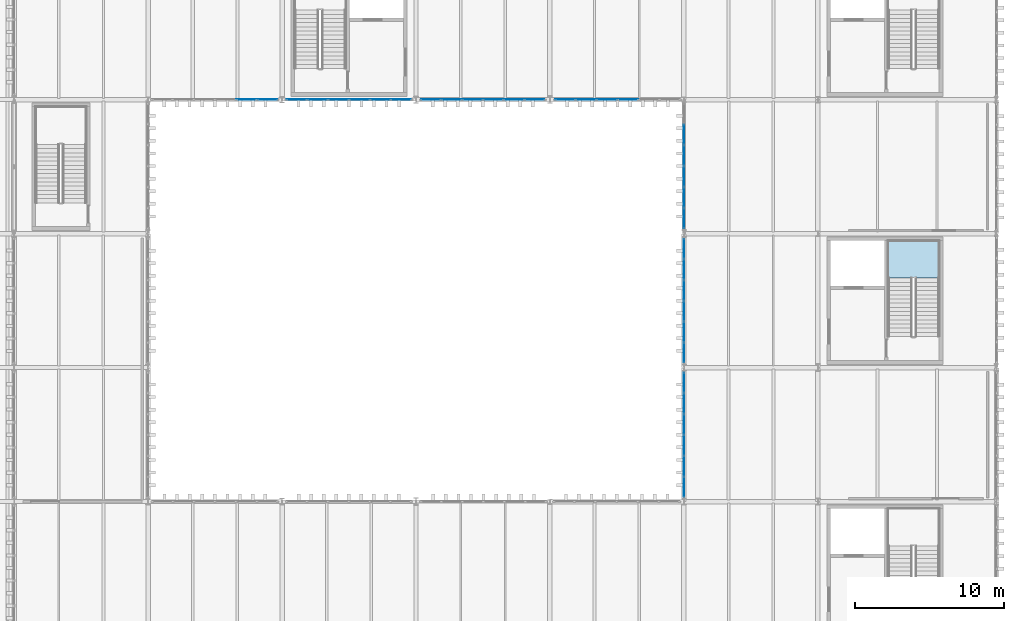
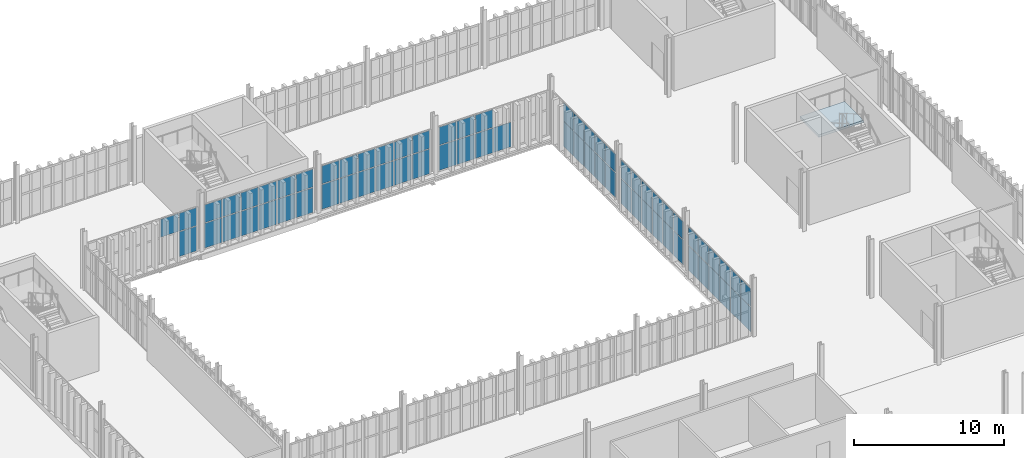
# One storey, part 169 of 196: 68 plates, 1 slab, 8 elements without a shape of their own.
"""IFC4 building model written with IfcOpenShell, lengths in metres."""

from ifc_helpers import new_model, si_unit, direction, frame, origin, origin_2d, place, context, subcontext, project, spatial, polyline, rectangle, outline, extrude, material, layer, layer_set, type_object, element, aggregate, save


model = new_model("IFC4")

# Units and contexts
model_context = context("Model", 3, precision=1e-05, world=origin(), true_north=direction((0.0, 1.0)))
body_context = subcontext(model_context, "Body", "Model", "MODEL_VIEW")
ifc_project = project(units=[si_unit("LENGTHUNIT", "METRE"), si_unit("AREAUNIT", "SQUARE_METRE"), si_unit("VOLUMEUNIT", "CUBIC_METRE"), si_unit("PLANEANGLEUNIT", "RADIAN"), si_unit("MASSUNIT", "GRAM", prefix="KILO")], contexts=[model_context])

# Site, building, storey
site_placement = place(None, origin())
site = spatial("IfcSite", under=ifc_project, at=site_placement, CompositionType="ELEMENT")
building_placement = place(site_placement, origin())
building = spatial("IfcBuilding", under=site, at=building_placement, Name="Barlavento Convention Centre", CompositionType="ELEMENT")
storey_placement = place(building_placement, frame((0.0, 0.0, 18.0)))
storey = spatial("IfcBuildingStorey", under=building, at=storey_placement, Name="L03", CompositionType="ELEMENT", Elevation=18.0)

# Curtain wall, plates
ifc_material_1 = material(Name="Powder-coated aluminium and Low-E glass", Category="aluminium")
ifc_layer_1 = layer(ifc_material_1, 0.179931640625)
ifc_layer_set_1 = layer_set([ifc_layer_1], Name="ARC-CW-PATIO-B")
curtain_wall_type = type_object("IfcCurtainWallType", Name="ARC-CW-PATIO-B", PredefinedType="NOTDEFINED", material=ifc_layer_set_1)
curtain_wall_1_placement = place(storey_placement, origin())
curtain_wall_1 = element("IfcCurtainWall", 1, at=curtain_wall_1_placement, inside=storey, type_object=curtain_wall_type, Name="L03 unitised curtain wall CW12", PredefinedType="NOTDEFINED")
ifc_material_2 = material(Name="Double-silver Low-E insulated glass", Category="glass")
ifc_layer_2 = layer(ifc_material_2, 0.028076171875)
ifc_layer_set_2 = layer_set([ifc_layer_2], Name="ARC-CWP-GLZ28")
plate_type = type_object("IfcPlateType", Name="ARC-CWP-GLZ28", PredefinedType="CURTAIN_PANEL", material=ifc_layer_set_2)
plate_1_placement = place(storey_placement, frame((141.612548828125, 90.0, 2.130126953125), z_axis=(0.0, 0.0, 1.0), x_axis=(1.0, 0.0, 0.0)))
plate_1 = element("IfcPlate", 2, at=plate_1_placement, type_object=plate_type, Name="CW12 panel 5.2", PredefinedType="CURTAIN_PANEL", context=body_context, shape_type="SweptSolid", body=[
    extrude(rectangle(XDim=1.3583984375, YDim=0.028076171875, at=origin_2d()), origin(), (0.0, 0.0, 1.0), 1.4599609375),
])
plate_2_placement = place(storey_placement, frame((143.015869140625, 90.0, 0.06005859375), z_axis=(0.0, 0.0, 1.0), x_axis=(1.0, 0.0, 0.0)))
plate_2 = element("IfcPlate", 3, at=plate_2_placement, type_object=plate_type, Name="CW12 panel 6.1", PredefinedType="CURTAIN_PANEL", context=body_context, shape_type="SweptSolid", body=[
    extrude(rectangle(XDim=1.328369140625, YDim=0.028076171875, at=origin_2d()), origin(), (0.0, 0.0, 1.0), 2.010009765625),
])
plate_3_placement = place(storey_placement, frame((143.015869140625, 90.0, 2.130126953125), z_axis=(0.0, 0.0, 1.0), x_axis=(1.0, 0.0, 0.0)))
plate_3 = element("IfcPlate", 4, at=plate_3_placement, type_object=plate_type, Name="CW12 panel 6.2", PredefinedType="CURTAIN_PANEL", context=body_context, shape_type="SweptSolid", body=[
    extrude(rectangle(XDim=1.328369140625, YDim=0.028076171875, at=origin_2d()), origin(), (0.0, 0.0, 1.0), 1.4599609375),
])
aggregate(curtain_wall_1, [plate_1, plate_2, plate_3])

curtain_wall_2_placement = place(storey_placement, origin())
curtain_wall_2 = element("IfcCurtainWall", 5, at=curtain_wall_2_placement, inside=storey, type_object=curtain_wall_type, Name="L03 unitised curtain wall CW12", PredefinedType="NOTDEFINED")
plate_4_placement = place(storey_placement, frame((144.9794921875, 90.0, 0.06005859375), z_axis=(0.0, 0.0, 1.0), x_axis=(1.0, 0.0, 0.0)))
plate_4 = element("IfcPlate", 6, at=plate_4_placement, type_object=plate_type, Name="CW12 panel 1.1", PredefinedType="CURTAIN_PANEL", context=body_context, shape_type="SweptSolid", body=[
    extrude(rectangle(XDim=1.319091796875, YDim=0.028076171875, at=origin_2d()), origin(), (0.0, 0.0, 1.0), 2.010009765625),
])
plate_5_placement = place(storey_placement, frame((144.9794921875, 90.0, 2.130126953125), z_axis=(0.0, 0.0, 1.0), x_axis=(1.0, 0.0, 0.0)))
plate_5 = element("IfcPlate", 7, at=plate_5_placement, type_object=plate_type, Name="CW12 panel 1.2", PredefinedType="CURTAIN_PANEL", context=body_context, shape_type="SweptSolid", body=[
    extrude(rectangle(XDim=1.319091796875, YDim=0.028076171875, at=origin_2d()), origin(), (0.0, 0.0, 1.0), 1.4599609375),
])
plate_6_placement = place(storey_placement, frame((146.373779296875, 90.0, 0.06005859375), z_axis=(0.0, 0.0, 1.0), x_axis=(1.0, 0.0, 0.0)))
plate_6 = element("IfcPlate", 8, at=plate_6_placement, type_object=plate_type, Name="CW12 panel 2.1", PredefinedType="CURTAIN_PANEL", context=body_context, shape_type="SweptSolid", body=[
    extrude(rectangle(XDim=1.34912109375, YDim=0.028076171875, at=origin_2d()), origin(), (0.0, 0.0, 1.0), 2.010009765625),
])
plate_7_placement = place(storey_placement, frame((146.373779296875, 90.0, 2.130126953125), z_axis=(0.0, 0.0, 1.0), x_axis=(1.0, 0.0, 0.0)))
plate_7 = element("IfcPlate", 9, at=plate_7_placement, type_object=plate_type, Name="CW12 panel 2.2", PredefinedType="CURTAIN_PANEL", context=body_context, shape_type="SweptSolid", body=[
    extrude(rectangle(XDim=1.34912109375, YDim=0.028076171875, at=origin_2d()), origin(), (0.0, 0.0, 1.0), 1.4599609375),
])
plate_8_placement = place(storey_placement, frame((147.782958984375, 90.0, 0.06005859375), z_axis=(0.0, 0.0, 1.0), x_axis=(1.0, 0.0, 0.0)))
plate_8 = element("IfcPlate", 10, at=plate_8_placement, type_object=plate_type, Name="CW12 panel 3.1", PredefinedType="CURTAIN_PANEL", context=body_context, shape_type="SweptSolid", body=[
    extrude(rectangle(XDim=1.34912109375, YDim=0.028076171875, at=origin_2d()), origin(), (0.0, 0.0, 1.0), 2.010009765625),
])
plate_9_placement = place(storey_placement, frame((147.782958984375, 90.0, 2.130126953125), z_axis=(0.0, 0.0, 1.0), x_axis=(1.0, 0.0, 0.0)))
plate_9 = element("IfcPlate", 11, at=plate_9_placement, type_object=plate_type, Name="CW12 panel 3.2", PredefinedType="CURTAIN_PANEL", context=body_context, shape_type="SweptSolid", body=[
    extrude(rectangle(XDim=1.34912109375, YDim=0.028076171875, at=origin_2d()), origin(), (0.0, 0.0, 1.0), 1.4599609375),
])
plate_10_placement = place(storey_placement, frame((149.192138671875, 90.0, 0.06005859375), z_axis=(0.0, 0.0, 1.0), x_axis=(1.0, 0.0, 0.0)))
plate_10 = element("IfcPlate", 12, at=plate_10_placement, type_object=plate_type, Name="CW12 panel 4.1", PredefinedType="CURTAIN_PANEL", context=body_context, shape_type="SweptSolid", body=[
    extrude(rectangle(XDim=1.34912109375, YDim=0.028076171875, at=origin_2d()), origin(), (0.0, 0.0, 1.0), 2.010009765625),
])
plate_11_placement = place(storey_placement, frame((149.192138671875, 90.0, 2.130126953125), z_axis=(0.0, 0.0, 1.0), x_axis=(1.0, 0.0, 0.0)))
plate_11 = element("IfcPlate", 13, at=plate_11_placement, type_object=plate_type, Name="CW12 panel 4.2", PredefinedType="CURTAIN_PANEL", context=body_context, shape_type="SweptSolid", body=[
    extrude(rectangle(XDim=1.34912109375, YDim=0.028076171875, at=origin_2d()), origin(), (0.0, 0.0, 1.0), 1.4599609375),
])
plate_12_placement = place(storey_placement, frame((150.601318359375, 90.0, 0.06005859375), z_axis=(0.0, 0.0, 1.0), x_axis=(1.0, 0.0, 0.0)))
plate_12 = element("IfcPlate", 14, at=plate_12_placement, type_object=plate_type, Name="CW12 panel 5.1", PredefinedType="CURTAIN_PANEL", context=body_context, shape_type="SweptSolid", body=[
    extrude(rectangle(XDim=1.34912109375, YDim=0.028076171875, at=origin_2d()), origin(), (0.0, 0.0, 1.0), 2.010009765625),
])
plate_13_placement = place(storey_placement, frame((150.601318359375, 90.0, 2.130126953125), z_axis=(0.0, 0.0, 1.0), x_axis=(1.0, 0.0, 0.0)))
plate_13 = element("IfcPlate", 15, at=plate_13_placement, type_object=plate_type, Name="CW12 panel 5.2", PredefinedType="CURTAIN_PANEL", context=body_context, shape_type="SweptSolid", body=[
    extrude(rectangle(XDim=1.34912109375, YDim=0.028076171875, at=origin_2d()), origin(), (0.0, 0.0, 1.0), 1.4599609375),
])
plate_14_placement = place(storey_placement, frame((151.995361328125, 90.0, 0.06005859375), z_axis=(0.0, 0.0, 1.0), x_axis=(1.0, 0.0, 0.0)))
plate_14 = element("IfcPlate", 16, at=plate_14_placement, type_object=plate_type, Name="CW12 panel 6.1", PredefinedType="CURTAIN_PANEL", context=body_context, shape_type="SweptSolid", body=[
    extrude(rectangle(XDim=1.319091796875, YDim=0.028076171875, at=origin_2d()), origin(), (0.0, 0.0, 1.0), 2.010009765625),
])
plate_15_placement = place(storey_placement, frame((151.995361328125, 90.0, 2.130126953125), z_axis=(0.0, 0.0, 1.0), x_axis=(1.0, 0.0, 0.0)))
plate_15 = element("IfcPlate", 17, at=plate_15_placement, type_object=plate_type, Name="CW12 panel 6.2", PredefinedType="CURTAIN_PANEL", context=body_context, shape_type="SweptSolid", body=[
    extrude(rectangle(XDim=1.319091796875, YDim=0.028076171875, at=origin_2d()), origin(), (0.0, 0.0, 1.0), 1.4599609375),
])
aggregate(curtain_wall_2, [plate_4, plate_5, plate_6, plate_7, plate_8, plate_9, plate_10, plate_11, plate_12, plate_13, plate_14, plate_15])

curtain_wall_3_placement = place(storey_placement, origin())
curtain_wall_3 = element("IfcCurtainWall", 18, at=curtain_wall_3_placement, inside=storey, type_object=curtain_wall_type, Name="L03 unitised curtain wall CW12", PredefinedType="NOTDEFINED")
plate_16_placement = place(storey_placement, frame((154.00048828125, 90.0, 0.06005859375), z_axis=(0.0, 0.0, 1.0), x_axis=(1.0, 0.0, 0.0)))
plate_16 = element("IfcPlate", 19, at=plate_16_placement, type_object=plate_type, Name="CW12 panel 1.1", PredefinedType="CURTAIN_PANEL", context=body_context, shape_type="SweptSolid", body=[
    extrude(rectangle(XDim=1.310791015625, YDim=0.028076171875, at=origin_2d()), origin(), (0.0, 0.0, 1.0), 2.010009765625),
])
plate_17_placement = place(storey_placement, frame((154.00048828125, 90.0, 2.130126953125), z_axis=(0.0, 0.0, 1.0), x_axis=(1.0, 0.0, 0.0)))
plate_17 = element("IfcPlate", 20, at=plate_17_placement, type_object=plate_type, Name="CW12 panel 1.2", PredefinedType="CURTAIN_PANEL", context=body_context, shape_type="SweptSolid", body=[
    extrude(rectangle(XDim=1.310791015625, YDim=0.028076171875, at=origin_2d()), origin(), (0.0, 0.0, 1.0), 1.4599609375),
])
plate_18_placement = place(storey_placement, frame((155.38623046875, 90.0, 0.06005859375), z_axis=(0.0, 0.0, 1.0), x_axis=(1.0, 0.0, 0.0)))
plate_18 = element("IfcPlate", 21, at=plate_18_placement, type_object=plate_type, Name="CW12 panel 2.1", PredefinedType="CURTAIN_PANEL", context=body_context, shape_type="SweptSolid", body=[
    extrude(rectangle(XDim=1.3408203125, YDim=0.028076171875, at=origin_2d()), origin(), (0.0, 0.0, 1.0), 2.010009765625),
])
plate_19_placement = place(storey_placement, frame((155.38623046875, 90.0, 2.130126953125), z_axis=(0.0, 0.0, 1.0), x_axis=(1.0, 0.0, 0.0)))
plate_19 = element("IfcPlate", 22, at=plate_19_placement, type_object=plate_type, Name="CW12 panel 2.2", PredefinedType="CURTAIN_PANEL", context=body_context, shape_type="SweptSolid", body=[
    extrude(rectangle(XDim=1.3408203125, YDim=0.028076171875, at=origin_2d()), origin(), (0.0, 0.0, 1.0), 1.4599609375),
])
plate_20_placement = place(storey_placement, frame((156.787109375, 90.0, 0.06005859375), z_axis=(0.0, 0.0, 1.0), x_axis=(1.0, 0.0, 0.0)))
plate_20 = element("IfcPlate", 23, at=plate_20_placement, type_object=plate_type, Name="CW12 panel 3.1", PredefinedType="CURTAIN_PANEL", context=body_context, shape_type="SweptSolid", body=[
    extrude(rectangle(XDim=1.3408203125, YDim=0.028076171875, at=origin_2d()), origin(), (0.0, 0.0, 1.0), 2.010009765625),
])
plate_21_placement = place(storey_placement, frame((156.787109375, 90.0, 2.130126953125), z_axis=(0.0, 0.0, 1.0), x_axis=(1.0, 0.0, 0.0)))
plate_21 = element("IfcPlate", 24, at=plate_21_placement, type_object=plate_type, Name="CW12 panel 3.2", PredefinedType="CURTAIN_PANEL", context=body_context, shape_type="SweptSolid", body=[
    extrude(rectangle(XDim=1.3408203125, YDim=0.028076171875, at=origin_2d()), origin(), (0.0, 0.0, 1.0), 1.4599609375),
])
plate_22_placement = place(storey_placement, frame((158.18798828125, 90.0, 0.06005859375), z_axis=(0.0, 0.0, 1.0), x_axis=(1.0, 0.0, 0.0)))
plate_22 = element("IfcPlate", 25, at=plate_22_placement, type_object=plate_type, Name="CW12 panel 4.1", PredefinedType="CURTAIN_PANEL", context=body_context, shape_type="SweptSolid", body=[
    extrude(rectangle(XDim=1.3408203125, YDim=0.028076171875, at=origin_2d()), origin(), (0.0, 0.0, 1.0), 2.010009765625),
])
plate_23_placement = place(storey_placement, frame((158.18798828125, 90.0, 2.130126953125), z_axis=(0.0, 0.0, 1.0), x_axis=(1.0, 0.0, 0.0)))
plate_23 = element("IfcPlate", 26, at=plate_23_placement, type_object=plate_type, Name="CW12 panel 4.2", PredefinedType="CURTAIN_PANEL", context=body_context, shape_type="SweptSolid", body=[
    extrude(rectangle(XDim=1.3408203125, YDim=0.028076171875, at=origin_2d()), origin(), (0.0, 0.0, 1.0), 1.4599609375),
])
plate_24_placement = place(storey_placement, frame((159.5888671875, 90.0, 0.06005859375), z_axis=(0.0, 0.0, 1.0), x_axis=(1.0, 0.0, 0.0)))
plate_24 = element("IfcPlate", 27, at=plate_24_placement, type_object=plate_type, Name="CW12 panel 5.1", PredefinedType="CURTAIN_PANEL", context=body_context, shape_type="SweptSolid", body=[
    extrude(rectangle(XDim=1.3408203125, YDim=0.028076171875, at=origin_2d()), origin(), (0.0, 0.0, 1.0), 2.010009765625),
])
plate_25_placement = place(storey_placement, frame((159.5888671875, 90.0, 2.130126953125), z_axis=(0.0, 0.0, 1.0), x_axis=(1.0, 0.0, 0.0)))
plate_25 = element("IfcPlate", 28, at=plate_25_placement, type_object=plate_type, Name="CW12 panel 5.2", PredefinedType="CURTAIN_PANEL", context=body_context, shape_type="SweptSolid", body=[
    extrude(rectangle(XDim=1.3408203125, YDim=0.028076171875, at=origin_2d()), origin(), (0.0, 0.0, 1.0), 1.4599609375),
])
plate_26_placement = place(storey_placement, frame((160.974609375, 90.0, 0.06005859375), z_axis=(0.0, 0.0, 1.0), x_axis=(1.0, 0.0, 0.0)))
plate_26 = element("IfcPlate", 29, at=plate_26_placement, type_object=plate_type, Name="CW12 panel 6.1", PredefinedType="CURTAIN_PANEL", context=body_context, shape_type="SweptSolid", body=[
    extrude(rectangle(XDim=1.310791015625, YDim=0.028076171875, at=origin_2d()), origin(), (0.0, 0.0, 1.0), 2.010009765625),
])
plate_27_placement = place(storey_placement, frame((160.974609375, 90.0, 2.130126953125), z_axis=(0.0, 0.0, 1.0), x_axis=(1.0, 0.0, 0.0)))
plate_27 = element("IfcPlate", 30, at=plate_27_placement, type_object=plate_type, Name="CW12 panel 6.2", PredefinedType="CURTAIN_PANEL", context=body_context, shape_type="SweptSolid", body=[
    extrude(rectangle(XDim=1.310791015625, YDim=0.028076171875, at=origin_2d()), origin(), (0.0, 0.0, 1.0), 1.4599609375),
])
aggregate(curtain_wall_3, [plate_16, plate_17, plate_18, plate_19, plate_20, plate_21, plate_22, plate_23, plate_24, plate_25, plate_26, plate_27])

curtain_wall_4_placement = place(storey_placement, origin())
curtain_wall_4 = element("IfcCurtainWall", 31, at=curtain_wall_4_placement, inside=storey, type_object=curtain_wall_type, Name="L03 unitised curtain wall CW12", PredefinedType="NOTDEFINED")
plate_28_placement = place(storey_placement, frame((163.030029296875, 90.0, 0.06005859375), z_axis=(0.0, 0.0, 1.0), x_axis=(1.0, 0.0, 0.0)))
plate_28 = element("IfcPlate", 32, at=plate_28_placement, type_object=plate_type, Name="CW12 panel 1.1", PredefinedType="CURTAIN_PANEL", context=body_context, shape_type="SweptSolid", body=[
    extrude(rectangle(XDim=1.320068359375, YDim=0.028076171875, at=origin_2d()), origin(), (0.0, 0.0, 1.0), 2.010009765625),
])
plate_29_placement = place(storey_placement, frame((163.030029296875, 90.0, 2.130126953125), z_axis=(0.0, 0.0, 1.0), x_axis=(1.0, 0.0, 0.0)))
plate_29 = element("IfcPlate", 33, at=plate_29_placement, type_object=plate_type, Name="CW12 panel 1.2", PredefinedType="CURTAIN_PANEL", context=body_context, shape_type="SweptSolid", body=[
    extrude(rectangle(XDim=1.320068359375, YDim=0.028076171875, at=origin_2d()), origin(), (0.0, 0.0, 1.0), 1.4599609375),
])
plate_30_placement = place(storey_placement, frame((164.425048828125, 90.0, 0.06005859375), z_axis=(0.0, 0.0, 1.0), x_axis=(1.0, 0.0, 0.0)))
plate_30 = element("IfcPlate", 34, at=plate_30_placement, type_object=plate_type, Name="CW12 panel 2.1", PredefinedType="CURTAIN_PANEL", context=body_context, shape_type="SweptSolid", body=[
    extrude(rectangle(XDim=1.35009765625, YDim=0.028076171875, at=origin_2d()), origin(), (0.0, 0.0, 1.0), 2.010009765625),
])
plate_31_placement = place(storey_placement, frame((164.425048828125, 90.0, 2.130126953125), z_axis=(0.0, 0.0, 1.0), x_axis=(1.0, 0.0, 0.0)))
plate_31 = element("IfcPlate", 35, at=plate_31_placement, type_object=plate_type, Name="CW12 panel 2.2", PredefinedType="CURTAIN_PANEL", context=body_context, shape_type="SweptSolid", body=[
    extrude(rectangle(XDim=1.35009765625, YDim=0.028076171875, at=origin_2d()), origin(), (0.0, 0.0, 1.0), 1.4599609375),
])
plate_32_placement = place(storey_placement, frame((165.8349609375, 90.0, 0.06005859375), z_axis=(0.0, 0.0, 1.0), x_axis=(1.0, 0.0, 0.0)))
plate_32 = element("IfcPlate", 36, at=plate_32_placement, type_object=plate_type, Name="CW12 panel 3.1", PredefinedType="CURTAIN_PANEL", context=body_context, shape_type="SweptSolid", body=[
    extrude(rectangle(XDim=1.35009765625, YDim=0.028076171875, at=origin_2d()), origin(), (0.0, 0.0, 1.0), 2.010009765625),
])
plate_33_placement = place(storey_placement, frame((165.8349609375, 90.0, 2.130126953125), z_axis=(0.0, 0.0, 1.0), x_axis=(1.0, 0.0, 0.0)))
plate_33 = element("IfcPlate", 37, at=plate_33_placement, type_object=plate_type, Name="CW12 panel 3.2", PredefinedType="CURTAIN_PANEL", context=body_context, shape_type="SweptSolid", body=[
    extrude(rectangle(XDim=1.35009765625, YDim=0.028076171875, at=origin_2d()), origin(), (0.0, 0.0, 1.0), 1.4599609375),
])
plate_34_placement = place(storey_placement, frame((167.2451171875, 90.0, 0.06005859375), z_axis=(0.0, 0.0, 1.0), x_axis=(1.0, 0.0, 0.0)))
plate_34 = element("IfcPlate", 38, at=plate_34_placement, type_object=plate_type, Name="CW12 panel 4.1", PredefinedType="CURTAIN_PANEL", context=body_context, shape_type="SweptSolid", body=[
    extrude(rectangle(XDim=1.35009765625, YDim=0.028076171875, at=origin_2d()), origin(), (0.0, 0.0, 1.0), 2.010009765625),
])
aggregate(curtain_wall_4, [plate_28, plate_29, plate_30, plate_31, plate_32, plate_33, plate_34])

curtain_wall_5_placement = place(storey_placement, origin())
curtain_wall_5 = element("IfcCurtainWall", 39, at=curtain_wall_5_placement, inside=storey, type_object=curtain_wall_type, Name="L03 unitised curtain wall CW12", PredefinedType="NOTDEFINED")
plate_35_placement = place(storey_placement, frame((171.0, 63.9794921875, 0.06005859375), z_axis=(0.0, 0.0, 1.0), x_axis=(0.0, 1.0, 0.0)))
plate_35 = element("IfcPlate", 40, at=plate_35_placement, type_object=plate_type, Name="CW12 panel 1.1", PredefinedType="CURTAIN_PANEL", context=body_context, shape_type="SweptSolid", body=[
    extrude(rectangle(XDim=1.319091796875, YDim=0.028076171875, at=origin_2d()), origin(), (0.0, 0.0, 1.0), 2.010009765625),
])
plate_36_placement = place(storey_placement, frame((171.0, 63.9794921875, 2.130126953125), z_axis=(0.0, 0.0, 1.0), x_axis=(0.0, 1.0, 0.0)))
plate_36 = element("IfcPlate", 41, at=plate_36_placement, type_object=plate_type, Name="CW12 panel 1.2", PredefinedType="CURTAIN_PANEL", context=body_context, shape_type="SweptSolid", body=[
    extrude(rectangle(XDim=1.319091796875, YDim=0.028076171875, at=origin_2d()), origin(), (0.0, 0.0, 1.0), 1.4599609375),
])
plate_37_placement = place(storey_placement, frame((171.0, 65.373779296875, 0.06005859375), z_axis=(0.0, 0.0, 1.0), x_axis=(0.0, 1.0, 0.0)))
plate_37 = element("IfcPlate", 42, at=plate_37_placement, type_object=plate_type, Name="CW12 panel 2.1", PredefinedType="CURTAIN_PANEL", context=body_context, shape_type="SweptSolid", body=[
    extrude(rectangle(XDim=1.34912109375, YDim=0.028076171875, at=origin_2d()), origin(), (0.0, 0.0, 1.0), 2.010009765625),
])
plate_38_placement = place(storey_placement, frame((171.0, 65.373779296875, 2.130126953125), z_axis=(0.0, 0.0, 1.0), x_axis=(0.0, 1.0, 0.0)))
plate_38 = element("IfcPlate", 43, at=plate_38_placement, type_object=plate_type, Name="CW12 panel 2.2", PredefinedType="CURTAIN_PANEL", context=body_context, shape_type="SweptSolid", body=[
    extrude(rectangle(XDim=1.34912109375, YDim=0.028076171875, at=origin_2d()), origin(), (0.0, 0.0, 1.0), 1.4599609375),
])
plate_39_placement = place(storey_placement, frame((171.0, 66.782958984375, 0.06005859375), z_axis=(0.0, 0.0, 1.0), x_axis=(0.0, 1.0, 0.0)))
plate_39 = element("IfcPlate", 44, at=plate_39_placement, type_object=plate_type, Name="CW12 panel 3.1", PredefinedType="CURTAIN_PANEL", context=body_context, shape_type="SweptSolid", body=[
    extrude(rectangle(XDim=1.34912109375, YDim=0.028076171875, at=origin_2d()), origin(), (0.0, 0.0, 1.0), 2.010009765625),
])
plate_40_placement = place(storey_placement, frame((171.0, 66.782958984375, 2.130126953125), z_axis=(0.0, 0.0, 1.0), x_axis=(0.0, 1.0, 0.0)))
plate_40 = element("IfcPlate", 45, at=plate_40_placement, type_object=plate_type, Name="CW12 panel 3.2", PredefinedType="CURTAIN_PANEL", context=body_context, shape_type="SweptSolid", body=[
    extrude(rectangle(XDim=1.34912109375, YDim=0.028076171875, at=origin_2d()), origin(), (0.0, 0.0, 1.0), 1.4599609375),
])
plate_41_placement = place(storey_placement, frame((171.0, 68.192138671875, 0.06005859375), z_axis=(0.0, 0.0, 1.0), x_axis=(0.0, 1.0, 0.0)))
plate_41 = element("IfcPlate", 46, at=plate_41_placement, type_object=plate_type, Name="CW12 panel 4.1", PredefinedType="CURTAIN_PANEL", context=body_context, shape_type="SweptSolid", body=[
    extrude(rectangle(XDim=1.34912109375, YDim=0.028076171875, at=origin_2d()), origin(), (0.0, 0.0, 1.0), 2.010009765625),
])
plate_42_placement = place(storey_placement, frame((171.0, 68.192138671875, 2.130126953125), z_axis=(0.0, 0.0, 1.0), x_axis=(0.0, 1.0, 0.0)))
plate_42 = element("IfcPlate", 47, at=plate_42_placement, type_object=plate_type, Name="CW12 panel 4.2", PredefinedType="CURTAIN_PANEL", context=body_context, shape_type="SweptSolid", body=[
    extrude(rectangle(XDim=1.34912109375, YDim=0.028076171875, at=origin_2d()), origin(), (0.0, 0.0, 1.0), 1.4599609375),
])
plate_43_placement = place(storey_placement, frame((171.0, 69.601318359375, 0.06005859375), z_axis=(0.0, 0.0, 1.0), x_axis=(0.0, 1.0, 0.0)))
plate_43 = element("IfcPlate", 48, at=plate_43_placement, type_object=plate_type, Name="CW12 panel 5.1", PredefinedType="CURTAIN_PANEL", context=body_context, shape_type="SweptSolid", body=[
    extrude(rectangle(XDim=1.34912109375, YDim=0.028076171875, at=origin_2d()), origin(), (0.0, 0.0, 1.0), 2.010009765625),
])
plate_44_placement = place(storey_placement, frame((171.0, 69.601318359375, 2.130126953125), z_axis=(0.0, 0.0, 1.0), x_axis=(0.0, 1.0, 0.0)))
plate_44 = element("IfcPlate", 49, at=plate_44_placement, type_object=plate_type, Name="CW12 panel 5.2", PredefinedType="CURTAIN_PANEL", context=body_context, shape_type="SweptSolid", body=[
    extrude(rectangle(XDim=1.34912109375, YDim=0.028076171875, at=origin_2d()), origin(), (0.0, 0.0, 1.0), 1.4599609375),
])
plate_45_placement = place(storey_placement, frame((171.0, 70.995361328125, 0.06005859375), z_axis=(0.0, 0.0, 1.0), x_axis=(0.0, 1.0, 0.0)))
plate_45 = element("IfcPlate", 50, at=plate_45_placement, type_object=plate_type, Name="CW12 panel 6.1", PredefinedType="CURTAIN_PANEL", context=body_context, shape_type="SweptSolid", body=[
    extrude(rectangle(XDim=1.319091796875, YDim=0.028076171875, at=origin_2d()), origin(), (0.0, 0.0, 1.0), 2.010009765625),
])
plate_46_placement = place(storey_placement, frame((171.0, 70.995361328125, 2.130126953125), z_axis=(0.0, 0.0, 1.0), x_axis=(0.0, 1.0, 0.0)))
plate_46 = element("IfcPlate", 51, at=plate_46_placement, type_object=plate_type, Name="CW12 panel 6.2", PredefinedType="CURTAIN_PANEL", context=body_context, shape_type="SweptSolid", body=[
    extrude(rectangle(XDim=1.319091796875, YDim=0.028076171875, at=origin_2d()), origin(), (0.0, 0.0, 1.0), 1.4599609375),
])
aggregate(curtain_wall_5, [plate_35, plate_36, plate_37, plate_38, plate_39, plate_40, plate_41, plate_42, plate_43, plate_44, plate_45, plate_46])

curtain_wall_6_placement = place(storey_placement, origin())
curtain_wall_6 = element("IfcCurtainWall", 52, at=curtain_wall_6_placement, inside=storey, type_object=curtain_wall_type, Name="L03 unitised curtain wall CW12", PredefinedType="NOTDEFINED")
plate_47_placement = place(storey_placement, frame((171.0, 73.00048828125, 0.06005859375), z_axis=(0.0, 0.0, 1.0), x_axis=(0.0, 1.0, 0.0)))
plate_47 = element("IfcPlate", 53, at=plate_47_placement, type_object=plate_type, Name="CW12 panel 1.1", PredefinedType="CURTAIN_PANEL", context=body_context, shape_type="SweptSolid", body=[
    extrude(rectangle(XDim=1.310791015625, YDim=0.028076171875, at=origin_2d()), origin(), (0.0, 0.0, 1.0), 2.010009765625),
])
plate_48_placement = place(storey_placement, frame((171.0, 73.00048828125, 2.130126953125), z_axis=(0.0, 0.0, 1.0), x_axis=(0.0, 1.0, 0.0)))
plate_48 = element("IfcPlate", 54, at=plate_48_placement, type_object=plate_type, Name="CW12 panel 1.2", PredefinedType="CURTAIN_PANEL", context=body_context, shape_type="SweptSolid", body=[
    extrude(rectangle(XDim=1.310791015625, YDim=0.028076171875, at=origin_2d()), origin(), (0.0, 0.0, 1.0), 1.4599609375),
])
plate_49_placement = place(storey_placement, frame((171.0, 74.38623046875, 0.06005859375), z_axis=(0.0, 0.0, 1.0), x_axis=(0.0, 1.0, 0.0)))
plate_49 = element("IfcPlate", 55, at=plate_49_placement, type_object=plate_type, Name="CW12 panel 2.1", PredefinedType="CURTAIN_PANEL", context=body_context, shape_type="SweptSolid", body=[
    extrude(rectangle(XDim=1.3408203125, YDim=0.028076171875, at=origin_2d()), origin(), (0.0, 0.0, 1.0), 2.010009765625),
])
plate_50_placement = place(storey_placement, frame((171.0, 74.38623046875, 2.130126953125), z_axis=(0.0, 0.0, 1.0), x_axis=(0.0, 1.0, 0.0)))
plate_50 = element("IfcPlate", 56, at=plate_50_placement, type_object=plate_type, Name="CW12 panel 2.2", PredefinedType="CURTAIN_PANEL", context=body_context, shape_type="SweptSolid", body=[
    extrude(rectangle(XDim=1.3408203125, YDim=0.028076171875, at=origin_2d()), origin(), (0.0, 0.0, 1.0), 1.4599609375),
])
plate_51_placement = place(storey_placement, frame((171.0, 75.787109375, 0.06005859375), z_axis=(0.0, 0.0, 1.0), x_axis=(0.0, 1.0, 0.0)))
plate_51 = element("IfcPlate", 57, at=plate_51_placement, type_object=plate_type, Name="CW12 panel 3.1", PredefinedType="CURTAIN_PANEL", context=body_context, shape_type="SweptSolid", body=[
    extrude(rectangle(XDim=1.3408203125, YDim=0.028076171875, at=origin_2d()), origin(), (0.0, 0.0, 1.0), 2.010009765625),
])
plate_52_placement = place(storey_placement, frame((171.0, 75.787109375, 2.130126953125), z_axis=(0.0, 0.0, 1.0), x_axis=(0.0, 1.0, 0.0)))
plate_52 = element("IfcPlate", 58, at=plate_52_placement, type_object=plate_type, Name="CW12 panel 3.2", PredefinedType="CURTAIN_PANEL", context=body_context, shape_type="SweptSolid", body=[
    extrude(rectangle(XDim=1.3408203125, YDim=0.028076171875, at=origin_2d()), origin(), (0.0, 0.0, 1.0), 1.4599609375),
])
plate_53_placement = place(storey_placement, frame((171.0, 77.18798828125, 0.06005859375), z_axis=(0.0, 0.0, 1.0), x_axis=(0.0, 1.0, 0.0)))
plate_53 = element("IfcPlate", 59, at=plate_53_placement, type_object=plate_type, Name="CW12 panel 4.1", PredefinedType="CURTAIN_PANEL", context=body_context, shape_type="SweptSolid", body=[
    extrude(rectangle(XDim=1.3408203125, YDim=0.028076171875, at=origin_2d()), origin(), (0.0, 0.0, 1.0), 2.010009765625),
])
plate_54_placement = place(storey_placement, frame((171.0, 77.18798828125, 2.130126953125), z_axis=(0.0, 0.0, 1.0), x_axis=(0.0, 1.0, 0.0)))
plate_54 = element("IfcPlate", 60, at=plate_54_placement, type_object=plate_type, Name="CW12 panel 4.2", PredefinedType="CURTAIN_PANEL", context=body_context, shape_type="SweptSolid", body=[
    extrude(rectangle(XDim=1.3408203125, YDim=0.028076171875, at=origin_2d()), origin(), (0.0, 0.0, 1.0), 1.4599609375),
])
plate_55_placement = place(storey_placement, frame((171.0, 78.5888671875, 0.06005859375), z_axis=(0.0, 0.0, 1.0), x_axis=(0.0, 1.0, 0.0)))
plate_55 = element("IfcPlate", 61, at=plate_55_placement, type_object=plate_type, Name="CW12 panel 5.1", PredefinedType="CURTAIN_PANEL", context=body_context, shape_type="SweptSolid", body=[
    extrude(rectangle(XDim=1.3408203125, YDim=0.028076171875, at=origin_2d()), origin(), (0.0, 0.0, 1.0), 2.010009765625),
])
plate_56_placement = place(storey_placement, frame((171.0, 78.5888671875, 2.130126953125), z_axis=(0.0, 0.0, 1.0), x_axis=(0.0, 1.0, 0.0)))
plate_56 = element("IfcPlate", 62, at=plate_56_placement, type_object=plate_type, Name="CW12 panel 5.2", PredefinedType="CURTAIN_PANEL", context=body_context, shape_type="SweptSolid", body=[
    extrude(rectangle(XDim=1.3408203125, YDim=0.028076171875, at=origin_2d()), origin(), (0.0, 0.0, 1.0), 1.4599609375),
])
plate_57_placement = place(storey_placement, frame((171.0, 79.974609375, 0.06005859375), z_axis=(0.0, 0.0, 1.0), x_axis=(0.0, 1.0, 0.0)))
plate_57 = element("IfcPlate", 63, at=plate_57_placement, type_object=plate_type, Name="CW12 panel 6.1", PredefinedType="CURTAIN_PANEL", context=body_context, shape_type="SweptSolid", body=[
    extrude(rectangle(XDim=1.310791015625, YDim=0.028076171875, at=origin_2d()), origin(), (0.0, 0.0, 1.0), 2.010009765625),
])
plate_58_placement = place(storey_placement, frame((171.0, 79.974609375, 2.130126953125), z_axis=(0.0, 0.0, 1.0), x_axis=(0.0, 1.0, 0.0)))
plate_58 = element("IfcPlate", 64, at=plate_58_placement, type_object=plate_type, Name="CW12 panel 6.2", PredefinedType="CURTAIN_PANEL", context=body_context, shape_type="SweptSolid", body=[
    extrude(rectangle(XDim=1.310791015625, YDim=0.028076171875, at=origin_2d()), origin(), (0.0, 0.0, 1.0), 1.4599609375),
])
aggregate(curtain_wall_6, [plate_47, plate_48, plate_49, plate_50, plate_51, plate_52, plate_53, plate_54, plate_55, plate_56, plate_57, plate_58])

curtain_wall_7_placement = place(storey_placement, origin())
curtain_wall_7 = element("IfcCurtainWall", 65, at=curtain_wall_7_placement, inside=storey, type_object=curtain_wall_type, Name="L03 unitised curtain wall CW12", PredefinedType="NOTDEFINED")
plate_59_placement = place(storey_placement, frame((171.0, 82.030029296875, 0.06005859375), z_axis=(0.0, 0.0, 1.0), x_axis=(0.0, 1.0, 0.0)))
plate_59 = element("IfcPlate", 66, at=plate_59_placement, type_object=plate_type, Name="CW12 panel 1.1", PredefinedType="CURTAIN_PANEL", context=body_context, shape_type="SweptSolid", body=[
    extrude(rectangle(XDim=1.320068359375, YDim=0.028076171875, at=origin_2d()), origin(), (0.0, 0.0, 1.0), 2.010009765625),
])
plate_60_placement = place(storey_placement, frame((171.0, 82.030029296875, 2.130126953125), z_axis=(0.0, 0.0, 1.0), x_axis=(0.0, 1.0, 0.0)))
plate_60 = element("IfcPlate", 67, at=plate_60_placement, type_object=plate_type, Name="CW12 panel 1.2", PredefinedType="CURTAIN_PANEL", context=body_context, shape_type="SweptSolid", body=[
    extrude(rectangle(XDim=1.320068359375, YDim=0.028076171875, at=origin_2d()), origin(), (0.0, 0.0, 1.0), 1.4599609375),
])
plate_61_placement = place(storey_placement, frame((171.0, 83.425048828125, 0.06005859375), z_axis=(0.0, 0.0, 1.0), x_axis=(0.0, 1.0, 0.0)))
plate_61 = element("IfcPlate", 68, at=plate_61_placement, type_object=plate_type, Name="CW12 panel 2.1", PredefinedType="CURTAIN_PANEL", context=body_context, shape_type="SweptSolid", body=[
    extrude(rectangle(XDim=1.35009765625, YDim=0.028076171875, at=origin_2d()), origin(), (0.0, 0.0, 1.0), 2.010009765625),
])
plate_62_placement = place(storey_placement, frame((171.0, 83.425048828125, 2.130126953125), z_axis=(0.0, 0.0, 1.0), x_axis=(0.0, 1.0, 0.0)))
plate_62 = element("IfcPlate", 69, at=plate_62_placement, type_object=plate_type, Name="CW12 panel 2.2", PredefinedType="CURTAIN_PANEL", context=body_context, shape_type="SweptSolid", body=[
    extrude(rectangle(XDim=1.35009765625, YDim=0.028076171875, at=origin_2d()), origin(), (0.0, 0.0, 1.0), 1.4599609375),
])
plate_63_placement = place(storey_placement, frame((171.0, 84.8349609375, 0.06005859375), z_axis=(0.0, 0.0, 1.0), x_axis=(0.0, 1.0, 0.0)))
plate_63 = element("IfcPlate", 70, at=plate_63_placement, type_object=plate_type, Name="CW12 panel 3.1", PredefinedType="CURTAIN_PANEL", context=body_context, shape_type="SweptSolid", body=[
    extrude(rectangle(XDim=1.35009765625, YDim=0.028076171875, at=origin_2d()), origin(), (0.0, 0.0, 1.0), 2.010009765625),
])
plate_64_placement = place(storey_placement, frame((171.0, 84.8349609375, 2.130126953125), z_axis=(0.0, 0.0, 1.0), x_axis=(0.0, 1.0, 0.0)))
plate_64 = element("IfcPlate", 71, at=plate_64_placement, type_object=plate_type, Name="CW12 panel 3.2", PredefinedType="CURTAIN_PANEL", context=body_context, shape_type="SweptSolid", body=[
    extrude(rectangle(XDim=1.35009765625, YDim=0.028076171875, at=origin_2d()), origin(), (0.0, 0.0, 1.0), 1.4599609375),
])
plate_65_placement = place(storey_placement, frame((171.0, 86.2451171875, 0.06005859375), z_axis=(0.0, 0.0, 1.0), x_axis=(0.0, 1.0, 0.0)))
plate_65 = element("IfcPlate", 72, at=plate_65_placement, type_object=plate_type, Name="CW12 panel 4.1", PredefinedType="CURTAIN_PANEL", context=body_context, shape_type="SweptSolid", body=[
    extrude(rectangle(XDim=1.35009765625, YDim=0.028076171875, at=origin_2d()), origin(), (0.0, 0.0, 1.0), 2.010009765625),
])
plate_66_placement = place(storey_placement, frame((171.0, 86.2451171875, 2.130126953125), z_axis=(0.0, 0.0, 1.0), x_axis=(0.0, 1.0, 0.0)))
plate_66 = element("IfcPlate", 73, at=plate_66_placement, type_object=plate_type, Name="CW12 panel 4.2", PredefinedType="CURTAIN_PANEL", context=body_context, shape_type="SweptSolid", body=[
    extrude(rectangle(XDim=1.35009765625, YDim=0.028076171875, at=origin_2d()), origin(), (0.0, 0.0, 1.0), 1.4599609375),
])
plate_67_placement = place(storey_placement, frame((171.0, 87.655029296875, 0.06005859375), z_axis=(0.0, 0.0, 1.0), x_axis=(0.0, 1.0, 0.0)))
plate_67 = element("IfcPlate", 74, at=plate_67_placement, type_object=plate_type, Name="CW12 panel 5.1", PredefinedType="CURTAIN_PANEL", context=body_context, shape_type="SweptSolid", body=[
    extrude(rectangle(XDim=1.35009765625, YDim=0.028076171875, at=origin_2d()), origin(), (0.0, 0.0, 1.0), 2.010009765625),
])
plate_68_placement = place(storey_placement, frame((171.0, 87.655029296875, 2.130126953125), z_axis=(0.0, 0.0, 1.0), x_axis=(0.0, 1.0, 0.0)))
plate_68 = element("IfcPlate", 75, at=plate_68_placement, type_object=plate_type, Name="CW12 panel 5.2", PredefinedType="CURTAIN_PANEL", context=body_context, shape_type="SweptSolid", body=[
    extrude(rectangle(XDim=1.35009765625, YDim=0.028076171875, at=origin_2d()), origin(), (0.0, 0.0, 1.0), 1.4599609375),
])
aggregate(curtain_wall_7, [plate_59, plate_60, plate_61, plate_62, plate_63, plate_64, plate_65, plate_66, plate_67, plate_68])

# Stair, slab
ifc_material_3 = material(Name="Concrete C40/50", Category="concrete")
stair_type = type_object("IfcStairType", Name="ARC-STR-DOG-1620", PredefinedType="HALF_TURN_STAIR", material=ifc_material_3)
stair_placement = place(storey_placement, origin())
stair = element("IfcStair", 76, at=stair_placement, inside=storey, type_object=stair_type, Name="L03 ST07", PredefinedType="HALF_TURN_STAIR")
ifc_layer_3 = layer(ifc_material_3, 0.199951171875)
ifc_layer_set_3 = layer_set([ifc_layer_3], Name="ARC-SLB-LND-200")
slab_type = type_object("IfcSlabType", Name="ARC-SLB-LND-200", PredefinedType="LANDING", material=ifc_layer_set_3)
slab_placement = place(storey_placement, frame((0.0, 0.0, 2.199951171875)))
slab = element("IfcSlab", 77, at=slab_placement, type_object=slab_type, Name="ST07 landing 1", PredefinedType="LANDING", context=body_context, shape_type="SweptSolid", body=[
    extrude(outline(polyline([(188.14990234375, 78.010009765625), (188.14990234375, 80.530029296875), (184.7099609375, 80.530029296875), (184.7099609375, 78.010009765625), (188.14990234375, 78.010009765625)])), origin(), (0.0, 0.0, 1.0), 0.199951171875),
])
aggregate(stair, [slab])

save(model, "model.ifc")
